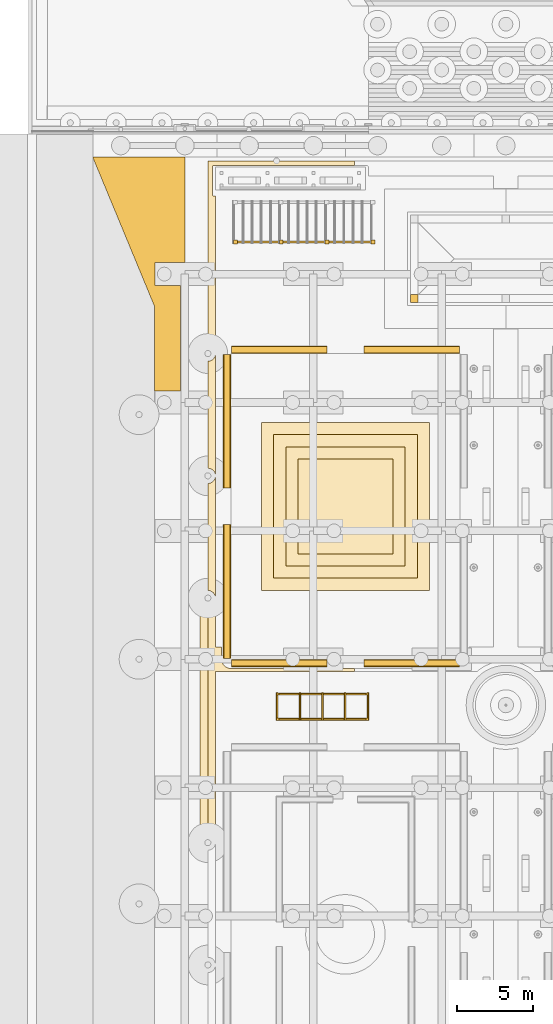
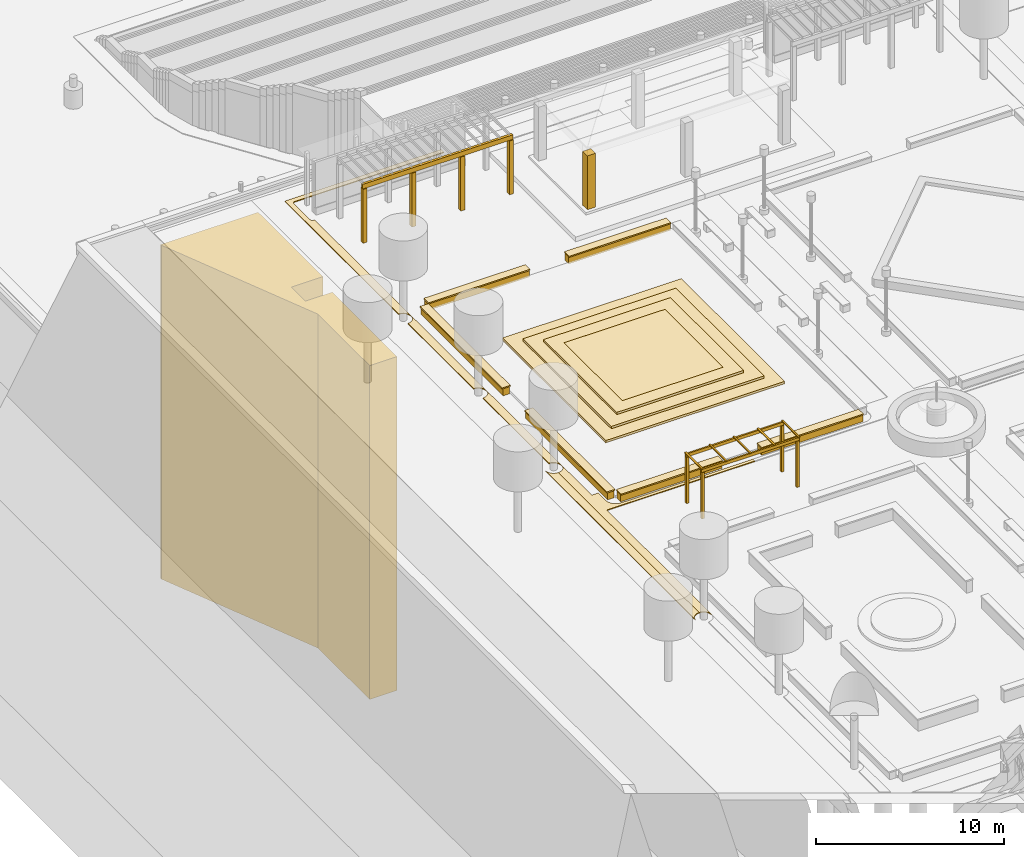
# One storey, part 140 of 222: 28 coverings, 11 shading devices.
"""IFC4 building model written with IfcOpenShell, lengths in metres."""

from ifc_helpers import new_model, si_unit, direction, frame, origin, origin_2d, place, context, subcontext, project, spatial, polyline, rectangle, outline, extrude, material, layer, layer_set, material_profile, profile_set, type_object, element, save


model = new_model("IFC4")

# Units and contexts
model_context = context("Model", 3, precision=1e-05, world=origin(), true_north=direction((0.0, 1.0)))
body_context = subcontext(model_context, "Body", "Model", "MODEL_VIEW")
ifc_project = project(units=[si_unit("LENGTHUNIT", "METRE"), si_unit("AREAUNIT", "SQUARE_METRE"), si_unit("VOLUMEUNIT", "CUBIC_METRE"), si_unit("PLANEANGLEUNIT", "RADIAN"), si_unit("MASSUNIT", "GRAM", prefix="KILO")], contexts=[model_context])

# Site, building, storey
site_placement = place(None, origin())
site = spatial("IfcSite", under=ifc_project, at=site_placement, CompositionType="ELEMENT")
building_placement = place(site_placement, origin())
building = spatial("IfcBuilding", under=site, at=building_placement, Name="Sava Quay Ferry Terminal", CompositionType="ELEMENT")
storey_placement = place(building_placement, origin())
storey = spatial("IfcBuildingStorey", under=building, at=storey_placement, Name="L00", CompositionType="ELEMENT", Elevation=0.0)

# Covering
ifc_material_1 = material(Name="Compacted gravel fill")
ifc_layer_1 = layer(ifc_material_1, 21.699951171875)
ifc_layer_set_1 = layer_set([ifc_layer_1], Name="Compacted gravel fill")
covering_type_1 = type_object("IfcCoveringType", Name="Made ground under the lawn corner", PredefinedType="CLADDING", material=ifc_layer_set_1)
covering_1_placement = place(storey_placement, frame((0.0, 0.0, -22.0)))
element("IfcCovering", 1, at=covering_1_placement, inside=storey, type_object=covering_type_1, Name="Made ground under the lawn corner", PredefinedType="CLADDING", context=body_context, shape_type="SweptSolid", body=[
    extrude(outline(polyline([(-1.97998046875, 101.550048828125), (-0.300048828125, 101.550048828125), (-0.300048828125, 108.449951171875), (-1.949951171875, 108.449951171875), (-1.949951171875, 109.949951171875), (0.0, 109.949951171875), (0.0, 116.85009765625), (-6.0, 116.85009765625), (-6.0, 116.77197265625), (-1.97998046875, 107.06591796875), (-1.97998046875, 101.550048828125)])), origin(), (0.0, 0.0, 1.0), 21.699951171875),
])

# Shading devices
ifc_material_2 = material(Name="Glulam GL28h", Category="wood")
ifc_material_profile_1 = material_profile(ifc_material_2, rectangle(XDim=0.10009765625, YDim=0.199951171875, at=origin_2d()), Name="Pergola 100 x 200")
ifc_profile_set_1 = profile_set([ifc_material_profile_1], Name="Glulam GL28h")
shading_device_type_1 = type_object("IfcShadingDeviceType", Name="Pergola beam 100x200", PredefinedType="USERDEFINED", material=ifc_profile_set_1)
for number, where, z_axis, x_axis, name in (
    (2, (6.0, 80.074951171875, 3.10009765625), (1.0, 0.0, 0.0), (0.0, 1.0, 0.0), "Pergola beam"),
    (3, (6.0, 81.72509765625, 3.10009765625), (1.0, 0.0, 0.0), (0.0, 1.0, 0.0), "Pergola beam"),
):
    element("IfcShadingDevice", number, at=place(storey_placement, frame(where, z_axis=z_axis, x_axis=x_axis)), inside=storey, type_object=shading_device_type_1, Name=name, ObjectType="PERGOLA BEAM", PredefinedType="USERDEFINED", context=body_context, shape_type="SweptSolid", body=[
        extrude(rectangle(XDim=0.10009765625, YDim=0.199951171875, at=origin_2d()), origin(), (0.0, 0.0, 1.0), 6.0),
    ])
ifc_material_3 = material(Name="Glulam GL28h", Category="wood")
ifc_material_profile_2 = material_profile(ifc_material_3, rectangle(XDim=0.14990234375, YDim=0.14990234375, at=origin_2d()), Name="Pergola 150 x 150")
ifc_profile_set_2 = profile_set([ifc_material_profile_2], Name="Glulam GL28h")
shading_device_type_2 = type_object("IfcShadingDeviceType", Name="Pergola post 150", PredefinedType="USERDEFINED", material=ifc_profile_set_2)
for number, where, z_axis, x_axis, name in (
    (4, (6.074951171875, 80.074951171875, 0.0), (0.0, 0.0, 1.0), (1.0, 0.0, 0.0), "Pergola post"),
    (5, (11.925048828125, 80.074951171875, 0.0), (0.0, 0.0, 1.0), (1.0, 0.0, 0.0), "Pergola post"),
    (6, (6.074951171875, 81.72509765625, 0.0), (0.0, 0.0, 1.0), (1.0, 0.0, 0.0), "Pergola post"),
    (7, (11.925048828125, 81.72509765625, 0.0), (0.0, 0.0, 1.0), (1.0, 0.0, 0.0), "Pergola post"),
):
    element("IfcShadingDevice", number, at=place(storey_placement, frame(where, z_axis=z_axis, x_axis=x_axis)), inside=storey, type_object=shading_device_type_2, Name=name, ObjectType="PERGOLA POST", PredefinedType="USERDEFINED", context=body_context, shape_type="SweptSolid", body=[
        extrude(rectangle(XDim=0.14990234375, YDim=0.14990234375, at=origin_2d()), origin(), (0.0, 0.0, 1.0), 3.0),
    ])
ifc_material_4 = material(Name="Glulam GL28h", Category="wood")
ifc_material_profile_3 = material_profile(ifc_material_4, rectangle(XDim=0.06005859375, YDim=0.10009765625, at=origin_2d()), Name="Pergola 60 x 100")
ifc_profile_set_3 = profile_set([ifc_material_profile_3], Name="Glulam GL28h")
shading_device_type_3 = type_object("IfcShadingDeviceType", Name="Pergola rafter 60x100", PredefinedType="USERDEFINED", material=ifc_profile_set_3)
for number, where, z_axis, x_axis, name in (
    (8, (6.030029296875, 80.0, 3.22998046875), (0.0, 1.0, 0.0), (0.0, 0.0, 1.0), "Pergola rafter"),
    (9, (7.514892578125, 80.0, 3.22998046875), (0.0, 1.0, 0.0), (0.0, 0.0, 1.0), "Pergola rafter"),
    (10, (9.0, 80.0, 3.22998046875), (0.0, 1.0, 0.0), (0.0, 0.0, 1.0), "Pergola rafter"),
    (11, (10.485107421875, 80.0, 3.22998046875), (0.0, 1.0, 0.0), (0.0, 0.0, 1.0), "Pergola rafter"),
    (12, (11.969970703125, 80.0, 3.22998046875), (0.0, 1.0, 0.0), (0.0, 0.0, 1.0), "Pergola rafter"),
):
    element("IfcShadingDevice", number, at=place(storey_placement, frame(where, z_axis=z_axis, x_axis=x_axis)), inside=storey, type_object=shading_device_type_3, Name=name, ObjectType="PERGOLA RAFTER", PredefinedType="USERDEFINED", context=body_context, shape_type="SweptSolid", body=[
        extrude(rectangle(XDim=0.06005859375, YDim=0.10009765625, at=origin_2d()), origin(), (0.0, 0.0, 1.0), 1.800048828125),
    ])

# Coverings
ifc_material_5 = material(Name="Steel S355", Category="steel")
ifc_layer_2 = layer(ifc_material_5, 0.14990234375)
ifc_layer_set_2 = layer_set([ifc_layer_2], Name="Steel S355")
covering_type_2 = type_object("IfcCoveringType", Name="Promenade pergola beam 150x300", PredefinedType="CLADDING", material=ifc_layer_set_2)
covering_2_placement = place(storey_placement, frame((0.0, 0.0, 3.5)))
element("IfcCovering", 13, at=covering_2_placement, inside=storey, type_object=covering_type_2, Name="Promenade pergola beam", PredefinedType="CLADDING", context=body_context, shape_type="SweptSolid", body=[
    extrude(outline(polyline([(12.425048828125, 111.22509765625), (12.425048828125, 111.375), (3.175048828125, 111.375), (3.175048828125, 111.22509765625), (12.425048828125, 111.22509765625)])), origin(), (0.0, 0.0, 1.0), 0.300048828125),
])
ifc_material_6 = material(Name="Steel S355", Category="steel")
ifc_layer_3 = layer(ifc_material_6, 0.25)
ifc_layer_set_3 = layer_set([ifc_layer_3], Name="Steel S355")
covering_type_3 = type_object("IfcCoveringType", Name="Promenade pergola post 250", PredefinedType="CLADDING", material=ifc_layer_set_3)
covering_3_placement = place(storey_placement, origin())
element("IfcCovering", 14, at=covering_3_placement, inside=storey, type_object=covering_type_3, Name="Promenade pergola post", PredefinedType="CLADDING", context=body_context, shape_type="SweptSolid", body=[
    extrude(outline(polyline([(3.425048828125, 111.175048828125), (3.425048828125, 111.425048828125), (3.175048828125, 111.425048828125), (3.175048828125, 111.175048828125), (3.425048828125, 111.175048828125)])), origin(), (0.0, 0.0, 1.0), 3.5),
])
covering_4_placement = place(storey_placement, origin())
element("IfcCovering", 15, at=covering_4_placement, inside=storey, type_object=covering_type_3, Name="Promenade pergola post", PredefinedType="CLADDING", context=body_context, shape_type="SweptSolid", body=[
    extrude(outline(polyline([(6.425048828125, 111.175048828125), (6.425048828125, 111.425048828125), (6.175048828125, 111.425048828125), (6.175048828125, 111.175048828125), (6.425048828125, 111.175048828125)])), origin(), (0.0, 0.0, 1.0), 3.5),
])
covering_5_placement = place(storey_placement, origin())
element("IfcCovering", 16, at=covering_5_placement, inside=storey, type_object=covering_type_3, Name="Promenade pergola post", PredefinedType="CLADDING", context=body_context, shape_type="SweptSolid", body=[
    extrude(outline(polyline([(9.425048828125, 111.175048828125), (9.425048828125, 111.425048828125), (9.175048828125, 111.425048828125), (9.175048828125, 111.175048828125), (9.425048828125, 111.175048828125)])), origin(), (0.0, 0.0, 1.0), 3.5),
])
covering_6_placement = place(storey_placement, origin())
element("IfcCovering", 17, at=covering_6_placement, inside=storey, type_object=covering_type_3, Name="Promenade pergola post", PredefinedType="CLADDING", context=body_context, shape_type="SweptSolid", body=[
    extrude(outline(polyline([(12.425048828125, 111.175048828125), (12.425048828125, 111.425048828125), (12.175048828125, 111.425048828125), (12.175048828125, 111.175048828125), (12.425048828125, 111.175048828125)])), origin(), (0.0, 0.0, 1.0), 3.5),
])
ifc_material_7 = material(Name="Limestone Mutalj", Category="masonry")
ifc_layer_4 = layer(ifc_material_7, 0.050048828125)
ifc_layer_set_4 = layer_set([ifc_layer_4], Name="Limestone Mutalj")
covering_type_4 = type_object("IfcCoveringType", Name="Stone paving band 50", PredefinedType="FLOORING", material=ifc_layer_set_4)
covering_7_placement = place(storey_placement, origin())
element("IfcCovering", 18, at=covering_7_placement, inside=storey, type_object=covering_type_4, Name="Stone paving band", PredefinedType="FLOORING", context=body_context, shape_type="SweptSolid", body=[
    extrude(outline(polyline([(1.0, 51.39990234375), (1.5, 51.39990234375), (1.5, 55.5), (1.43896484375, 55.50390625), (1.389892578125, 55.511962890625), (1.343017578125, 55.52490234375), (1.297119140625, 55.54296875), (1.25390625, 55.56494140625), (1.2119140625, 55.591064453125), (1.174072265625, 55.6220703125), (1.137939453125, 55.655029296875), (1.10595703125, 55.69189453125), (1.077880859375, 55.73291015625), (1.053955078125, 55.77490234375), (1.033935546875, 55.820068359375), (1.01806640625, 55.866943359375), (1.008056640625, 55.9150390625), (1.001953125, 55.962890625), (1.0, 56.011962890625), (1.00390625, 56.06103515625), (1.011962890625, 56.110107421875), (1.02490234375, 56.156982421875), (1.04296875, 56.202880859375), (1.06494140625, 56.24609375), (1.091064453125, 56.2880859375), (1.1220703125, 56.325927734375), (1.155029296875, 56.362060546875), (1.19189453125, 56.39404296875), (1.23291015625, 56.422119140625), (1.27490234375, 56.446044921875), (1.320068359375, 56.466064453125), (1.366943359375, 56.48193359375), (1.4150390625, 56.491943359375), (1.462890625, 56.498046875), (1.5, 56.5), (1.5, 63.5), (1.462890625, 63.501953125), (1.4150390625, 63.508056640625), (1.366943359375, 63.51806640625), (1.320068359375, 63.533935546875), (1.27490234375, 63.553955078125), (1.23291015625, 63.577880859375), (1.19189453125, 63.60595703125), (1.155029296875, 63.637939453125), (1.1220703125, 63.674072265625), (1.091064453125, 63.7119140625), (1.06494140625, 63.75390625), (1.04296875, 63.797119140625), (1.02490234375, 63.843017578125), (1.011962890625, 63.889892578125), (1.00390625, 63.93896484375), (1.0, 63.988037109375), (1.001953125, 64.037109375), (1.008056640625, 64.0849609375), (1.01806640625, 64.133056640625), (1.033935546875, 64.179931640625), (1.053955078125, 64.22509765625), (1.077880859375, 64.26708984375), (1.10595703125, 64.30810546875), (1.137939453125, 64.344970703125), (1.174072265625, 64.3779296875), (1.2119140625, 64.408935546875), (1.25390625, 64.43505859375), (1.297119140625, 64.45703125), (1.343017578125, 64.47509765625), (1.389892578125, 64.488037109375), (1.43896484375, 64.49609375), (1.5, 64.5), (1.5, 71.5), (1.43896484375, 71.50390625), (1.389892578125, 71.511962890625), (1.343017578125, 71.52490234375), (1.297119140625, 71.54296875), (1.25390625, 71.56494140625), (1.2119140625, 71.591064453125), (1.174072265625, 71.6220703125), (1.137939453125, 71.655029296875), (1.10595703125, 71.69189453125), (1.077880859375, 71.73291015625), (1.053955078125, 71.77490234375), (1.033935546875, 71.820068359375), (1.01806640625, 71.866943359375), (1.008056640625, 71.9150390625), (1.001953125, 71.962890625), (1.0, 72.011962890625), (1.00390625, 72.06103515625), (1.011962890625, 72.110107421875), (1.02490234375, 72.156982421875), (1.04296875, 72.202880859375), (1.06494140625, 72.24609375), (1.091064453125, 72.2880859375), (1.1220703125, 72.325927734375), (1.155029296875, 72.362060546875), (1.19189453125, 72.39404296875), (1.23291015625, 72.422119140625), (1.27490234375, 72.446044921875), (1.320068359375, 72.466064453125), (1.366943359375, 72.48193359375), (1.4150390625, 72.491943359375), (1.462890625, 72.498046875), (1.5, 72.5), (1.5, 87.5), (1.43896484375, 87.50390625), (1.389892578125, 87.511962890625), (1.343017578125, 87.52490234375), (1.297119140625, 87.54296875), (1.25390625, 87.56494140625), (1.2119140625, 87.591064453125), (1.174072265625, 87.6220703125), (1.137939453125, 87.655029296875), (1.10595703125, 87.69189453125), (1.077880859375, 87.73291015625), (1.053955078125, 87.77490234375), (1.033935546875, 87.820068359375), (1.01806640625, 87.866943359375), (1.008056640625, 87.9150390625), (1.001953125, 87.962890625), (1.0, 88.011962890625), (1.00390625, 88.06103515625), (1.011962890625, 88.110107421875), (1.02490234375, 88.156982421875), (1.04296875, 88.202880859375), (1.06494140625, 88.24609375), (1.091064453125, 88.2880859375), (1.1220703125, 88.325927734375), (1.155029296875, 88.362060546875), (1.19189453125, 88.39404296875), (1.23291015625, 88.422119140625), (1.27490234375, 88.446044921875), (1.320068359375, 88.466064453125), (1.366943359375, 88.48193359375), (1.4150390625, 88.491943359375), (1.462890625, 88.498046875), (1.5, 88.5), (1.5, 95.5), (1.43896484375, 95.50390625), (1.389892578125, 95.511962890625), (1.343017578125, 95.52490234375), (1.297119140625, 95.54296875), (1.25390625, 95.56494140625), (1.2119140625, 95.591064453125), (1.174072265625, 95.6220703125), (1.137939453125, 95.655029296875), (1.10595703125, 95.69189453125), (1.077880859375, 95.73291015625), (1.053955078125, 95.77490234375), (1.033935546875, 95.820068359375), (1.01806640625, 95.866943359375), (1.008056640625, 95.9150390625), (1.001953125, 95.962890625), (1.0, 96.011962890625), (1.00390625, 96.06103515625), (1.011962890625, 96.110107421875), (1.02490234375, 96.156982421875), (1.04296875, 96.202880859375), (1.06494140625, 96.24609375), (1.091064453125, 96.2880859375), (1.1220703125, 96.325927734375), (1.155029296875, 96.362060546875), (1.19189453125, 96.39404296875), (1.23291015625, 96.422119140625), (1.27490234375, 96.446044921875), (1.320068359375, 96.466064453125), (1.366943359375, 96.48193359375), (1.4150390625, 96.491943359375), (1.462890625, 96.498046875), (1.5, 96.5), (1.5, 103.5), (1.43896484375, 103.50390625), (1.389892578125, 103.511962890625), (1.343017578125, 103.52490234375), (1.297119140625, 103.54296875), (1.25390625, 103.56494140625), (1.2119140625, 103.591064453125), (1.174072265625, 103.6220703125), (1.137939453125, 103.655029296875), (1.10595703125, 103.69189453125), (1.077880859375, 103.73291015625), (1.053955078125, 103.77490234375), (1.033935546875, 103.820068359375), (1.01806640625, 103.866943359375), (1.008056640625, 103.9150390625), (1.001953125, 103.962890625), (1.0, 104.011962890625), (1.00390625, 104.06103515625), (1.011962890625, 104.110107421875), (1.02490234375, 104.156982421875), (1.04296875, 104.202880859375), (1.06494140625, 104.24609375), (1.091064453125, 104.2880859375), (1.1220703125, 104.325927734375), (1.155029296875, 104.362060546875), (1.19189453125, 104.39404296875), (1.23291015625, 104.422119140625), (1.27490234375, 104.446044921875), (1.320068359375, 104.466064453125), (1.366943359375, 104.48193359375), (1.4150390625, 104.491943359375), (1.462890625, 104.498046875), (1.5, 104.5), (1.5, 116.60009765625), (1.0, 116.60009765625), (1.0, 51.39990234375)])), origin(), (0.0, 0.0, 1.0), 0.050048828125),
])
covering_8_placement = place(storey_placement, origin())
element("IfcCovering", 19, at=covering_8_placement, inside=storey, type_object=covering_type_4, Name="Stone paving band", PredefinedType="FLOORING", context=body_context, shape_type="SweptSolid", body=[
    extrude(outline(polyline([(1.998046875, 72.037109375), (2.0, 71.988037109375), (2.0, 83.199951171875), (11.10009765625, 83.199951171875), (11.10009765625, 83.39990234375), (3.0, 83.39990234375), (2.94091796875, 83.403076171875), (2.883056640625, 83.412109375), (2.825927734375, 83.426025390625), (2.77001953125, 83.446044921875), (2.717041015625, 83.470947265625), (2.6669921875, 83.5009765625), (2.618896484375, 83.535888671875), (2.575927734375, 83.575927734375), (2.535888671875, 83.618896484375), (2.5009765625, 83.6669921875), (2.470947265625, 83.717041015625), (2.446044921875, 83.77001953125), (2.426025390625, 83.825927734375), (2.412109375, 83.883056640625), (2.403076171875, 83.94091796875), (2.39990234375, 84.0), (2.39990234375, 84.800048828125), (2.0, 84.800048828125), (2.0, 87.988037109375), (1.99609375, 87.93896484375), (1.988037109375, 87.889892578125), (1.97509765625, 87.843017578125), (1.95703125, 87.797119140625), (1.93505859375, 87.75390625), (1.908935546875, 87.7119140625), (1.8779296875, 87.674072265625), (1.844970703125, 87.637939453125), (1.80810546875, 87.60595703125), (1.76708984375, 87.577880859375), (1.72509765625, 87.553955078125), (1.679931640625, 87.533935546875), (1.633056640625, 87.51806640625), (1.5849609375, 87.508056640625), (1.537109375, 87.501953125), (1.5, 87.5), (1.5, 72.5), (1.56103515625, 72.49609375), (1.610107421875, 72.488037109375), (1.656982421875, 72.47509765625), (1.702880859375, 72.45703125), (1.74609375, 72.43505859375), (1.7880859375, 72.408935546875), (1.825927734375, 72.3779296875), (1.862060546875, 72.344970703125), (1.89404296875, 72.30810546875), (1.922119140625, 72.26708984375), (1.946044921875, 72.22509765625), (1.966064453125, 72.179931640625), (1.98193359375, 72.133056640625), (1.991943359375, 72.0849609375), (1.998046875, 72.037109375)])), origin(), (0.0, 0.0, 1.0), 0.050048828125),
])
covering_9_placement = place(storey_placement, origin())
element("IfcCovering", 20, at=covering_9_placement, inside=storey, type_object=covering_type_4, Name="Stone paving band", PredefinedType="FLOORING", context=body_context, shape_type="SweptSolid", body=[
    extrude(outline(polyline([(1.998046875, 88.037109375), (2.0, 87.988037109375), (2.0, 95.988037109375), (1.99609375, 95.93896484375), (1.988037109375, 95.889892578125), (1.97509765625, 95.843017578125), (1.95703125, 95.797119140625), (1.93505859375, 95.75390625), (1.908935546875, 95.7119140625), (1.8779296875, 95.674072265625), (1.844970703125, 95.637939453125), (1.80810546875, 95.60595703125), (1.76708984375, 95.577880859375), (1.72509765625, 95.553955078125), (1.679931640625, 95.533935546875), (1.633056640625, 95.51806640625), (1.5849609375, 95.508056640625), (1.537109375, 95.501953125), (1.5, 95.5), (1.5, 88.5), (1.56103515625, 88.49609375), (1.610107421875, 88.488037109375), (1.656982421875, 88.47509765625), (1.702880859375, 88.45703125), (1.74609375, 88.43505859375), (1.7880859375, 88.408935546875), (1.825927734375, 88.3779296875), (1.862060546875, 88.344970703125), (1.89404296875, 88.30810546875), (1.922119140625, 88.26708984375), (1.946044921875, 88.22509765625), (1.966064453125, 88.179931640625), (1.98193359375, 88.133056640625), (1.991943359375, 88.0849609375), (1.998046875, 88.037109375)])), origin(), (0.0, 0.0, 1.0), 0.050048828125),
])
covering_10_placement = place(storey_placement, origin())
element("IfcCovering", 21, at=covering_10_placement, inside=storey, type_object=covering_type_4, Name="Stone paving band", PredefinedType="FLOORING", context=body_context, shape_type="SweptSolid", body=[
    extrude(outline(polyline([(1.998046875, 96.037109375), (2.0, 95.988037109375), (2.0, 103.988037109375), (1.99609375, 103.93896484375), (1.988037109375, 103.889892578125), (1.97509765625, 103.843017578125), (1.95703125, 103.797119140625), (1.93505859375, 103.75390625), (1.908935546875, 103.7119140625), (1.8779296875, 103.674072265625), (1.844970703125, 103.637939453125), (1.80810546875, 103.60595703125), (1.76708984375, 103.577880859375), (1.72509765625, 103.553955078125), (1.679931640625, 103.533935546875), (1.633056640625, 103.51806640625), (1.5849609375, 103.508056640625), (1.537109375, 103.501953125), (1.5, 103.5), (1.5, 96.5), (1.56103515625, 96.49609375), (1.610107421875, 96.488037109375), (1.656982421875, 96.47509765625), (1.702880859375, 96.45703125), (1.74609375, 96.43505859375), (1.7880859375, 96.408935546875), (1.825927734375, 96.3779296875), (1.862060546875, 96.344970703125), (1.89404296875, 96.30810546875), (1.922119140625, 96.26708984375), (1.946044921875, 96.22509765625), (1.966064453125, 96.179931640625), (1.98193359375, 96.133056640625), (1.991943359375, 96.0849609375), (1.998046875, 96.037109375)])), origin(), (0.0, 0.0, 1.0), 0.050048828125),
])
covering_11_placement = place(storey_placement, origin())
element("IfcCovering", 22, at=covering_11_placement, inside=storey, type_object=covering_type_4, Name="Stone paving band", PredefinedType="FLOORING", context=body_context, shape_type="SweptSolid", body=[
    extrude(outline(polyline([(1.991943359375, 104.0849609375), (1.998046875, 104.037109375), (2.0, 103.988037109375), (2.0, 114.300048828125), (1.889892578125, 114.300048828125), (1.862060546875, 114.30810546875), (1.843994140625, 114.31689453125), (1.822998046875, 114.3369140625), (1.80810546875, 114.362060546875), (1.800048828125, 114.389892578125), (1.800048828125, 116.199951171875), (1.803955078125, 116.22900390625), (1.81689453125, 116.256103515625), (1.8291015625, 116.27099609375), (1.85302734375, 116.2880859375), (1.87109375, 116.2958984375), (1.89990234375, 116.300048828125), (11.10009765625, 116.300048828125), (11.10009765625, 116.60009765625), (1.5, 116.60009765625), (1.5, 104.5), (1.56103515625, 104.49609375), (1.610107421875, 104.488037109375), (1.656982421875, 104.47509765625), (1.702880859375, 104.45703125), (1.74609375, 104.43505859375), (1.7880859375, 104.408935546875), (1.825927734375, 104.3779296875), (1.862060546875, 104.344970703125), (1.89404296875, 104.30810546875), (1.922119140625, 104.26708984375), (1.946044921875, 104.22509765625), (1.966064453125, 104.179931640625), (1.98193359375, 104.133056640625), (1.991943359375, 104.0849609375)])), origin(), (0.0, 0.0, 1.0), 0.050048828125),
])
ifc_material_8 = material(Name="Limestone Mutalj", Category="masonry")
ifc_layer_5 = layer(ifc_material_8, 0.449951171875)
ifc_layer_set_5 = layer_set([ifc_layer_5], Name="Limestone Mutalj")
covering_type_5 = type_object("IfcCoveringType", Name="Stone platform 450", PredefinedType="FLOORING", material=ifc_layer_set_5)
covering_12_placement = place(storey_placement, frame((0.0, 0.0, 0.14990234375)))
element("IfcCovering", 23, at=covering_12_placement, inside=storey, type_object=covering_type_5, Name="Stone platform 450", PredefinedType="FLOORING", context=body_context, shape_type="SweptSolid", body=[
    extrude(outline(polyline([(7.39990234375, 97.10009765625), (7.39990234375, 90.89990234375), (13.60009765625, 90.89990234375), (13.60009765625, 97.10009765625), (7.39990234375, 97.10009765625)])), origin(), (0.0, 0.0, 1.0), 0.4501953125),
])
ifc_material_9 = material(Name="Limestone Mutalj", Category="masonry")
ifc_layer_6 = layer(ifc_material_9, 0.14990234375)
ifc_layer_set_6 = layer_set([ifc_layer_6], Name="Limestone Mutalj")
covering_type_6 = type_object("IfcCoveringType", Name="Stone step 150", PredefinedType="MOLDING", material=ifc_layer_set_6)
covering_13_placement = place(storey_placement, frame((0.0, 0.0, 0.14990234375)))
element("IfcCovering", 24, at=covering_13_placement, inside=storey, type_object=covering_type_6, Name="Stone step 150", PredefinedType="MOLDING", context=body_context, shape_type="SweptSolid", body=[
    extrude(outline(polyline([(16.0, 99.5), (5.0, 99.5), (5.0, 88.5), (16.0, 88.5), (16.0, 99.5)]), holes=[polyline([(5.800048828125, 89.300048828125), (5.800048828125, 98.699951171875), (15.199951171875, 98.699951171875), (15.199951171875, 89.300048828125), (5.800048828125, 89.300048828125)])]), origin(), (0.0, 0.0, 1.0), 0.150146484375),
])
ifc_material_10 = material(Name="Limestone Mutalj", Category="masonry")
ifc_layer_7 = layer(ifc_material_10, 0.14990234375)
ifc_layer_set_7 = layer_set([ifc_layer_7], Name="Limestone Mutalj")
covering_type_7 = type_object("IfcCoveringType", Name="Stone step 300", PredefinedType="MOLDING", material=ifc_layer_set_7)
covering_14_placement = place(storey_placement, frame((0.0, 0.0, 0.14990234375)))
element("IfcCovering", 25, at=covering_14_placement, inside=storey, type_object=covering_type_7, Name="Stone step 300", PredefinedType="MOLDING", context=body_context, shape_type="SweptSolid", body=[
    extrude(outline(polyline([(15.199951171875, 98.699951171875), (5.800048828125, 98.699951171875), (5.800048828125, 89.300048828125), (15.199951171875, 89.300048828125), (15.199951171875, 98.699951171875)]), holes=[polyline([(6.60009765625, 90.10009765625), (6.60009765625, 97.89990234375), (14.39990234375, 97.89990234375), (14.39990234375, 90.10009765625), (6.60009765625, 90.10009765625)])]), origin(), (0.0, 0.0, 1.0), 0.300048828125),
])
ifc_material_11 = material(Name="Limestone Mutalj", Category="masonry")
ifc_layer_8 = layer(ifc_material_11, 0.14990234375)
ifc_layer_set_8 = layer_set([ifc_layer_8], Name="Limestone Mutalj")
covering_type_8 = type_object("IfcCoveringType", Name="Stone step 450", PredefinedType="MOLDING", material=ifc_layer_set_8)
covering_15_placement = place(storey_placement, frame((0.0, 0.0, 0.14990234375)))
element("IfcCovering", 26, at=covering_15_placement, inside=storey, type_object=covering_type_8, Name="Stone step 450", PredefinedType="MOLDING", context=body_context, shape_type="SweptSolid", body=[
    extrude(outline(polyline([(14.39990234375, 97.89990234375), (6.60009765625, 97.89990234375), (6.60009765625, 90.10009765625), (14.39990234375, 90.10009765625), (14.39990234375, 97.89990234375)]), holes=[polyline([(7.39990234375, 90.89990234375), (7.39990234375, 97.10009765625), (13.60009765625, 97.10009765625), (13.60009765625, 90.89990234375), (7.39990234375, 90.89990234375)])]), origin(), (0.0, 0.0, 1.0), 0.4501953125),
])
ifc_material_12 = material(Name="Limestone Mutalj", Category="masonry")
ifc_layer_9 = layer(ifc_material_12, 0.080078125)
ifc_layer_set_9 = layer_set([ifc_layer_9], Name="Limestone Mutalj")
covering_type_9 = type_object("IfcCoveringType", Name="Terrace parterre coping 500", PredefinedType="MOLDING", material=ifc_layer_set_9)
covering_16_placement = place(storey_placement, frame((0.0, 0.0, 0.449951171875)))
element("IfcCovering", 27, at=covering_16_placement, inside=storey, type_object=covering_type_9, Name="Parterre wall coping", PredefinedType="MOLDING", context=body_context, shape_type="SweptSolid", body=[
    extrude(outline(polyline([(3.0, 84.050048828125), (3.0, 92.800048828125), (2.5, 92.800048828125), (2.5, 84.050048828125), (3.0, 84.050048828125)])), origin(), (0.0, 0.0, 1.0), 0.080078125),
])
covering_17_placement = place(storey_placement, frame((0.0, 0.0, 0.449951171875)))
element("IfcCovering", 28, at=covering_17_placement, inside=storey, type_object=covering_type_9, Name="Parterre wall coping", PredefinedType="MOLDING", context=body_context, shape_type="SweptSolid", body=[
    extrude(outline(polyline([(9.300048828125, 83.5), (9.300048828125, 84.0), (3.050048828125, 84.0), (3.050048828125, 83.5), (9.300048828125, 83.5)])), origin(), (0.0, 0.0, 1.0), 0.080078125),
])
covering_18_placement = place(storey_placement, frame((0.0, 0.0, 0.449951171875)))
element("IfcCovering", 29, at=covering_18_placement, inside=storey, type_object=covering_type_9, Name="Parterre wall coping", PredefinedType="MOLDING", context=body_context, shape_type="SweptSolid", body=[
    extrude(outline(polyline([(9.300048828125, 104.0), (9.300048828125, 104.5), (3.050048828125, 104.5), (3.050048828125, 104.0), (9.300048828125, 104.0)])), origin(), (0.0, 0.0, 1.0), 0.080078125),
])
covering_19_placement = place(storey_placement, frame((0.0, 0.0, 0.449951171875)))
element("IfcCovering", 30, at=covering_19_placement, inside=storey, type_object=covering_type_9, Name="Parterre wall coping", PredefinedType="MOLDING", context=body_context, shape_type="SweptSolid", body=[
    extrude(outline(polyline([(2.5, 95.199951171875), (3.0, 95.199951171875), (3.0, 103.949951171875), (2.5, 103.949951171875), (2.5, 95.199951171875)])), origin(), (0.0, 0.0, 1.0), 0.080078125),
])
covering_20_placement = place(storey_placement, frame((0.0, 0.0, 0.449951171875)))
element("IfcCovering", 31, at=covering_20_placement, inside=storey, type_object=covering_type_9, Name="Parterre wall coping", PredefinedType="MOLDING", context=body_context, shape_type="SweptSolid", body=[
    extrude(outline(polyline([(11.699951171875, 104.5), (11.699951171875, 104.0), (17.949951171875, 104.0), (17.949951171875, 104.5), (11.699951171875, 104.5)])), origin(), (0.0, 0.0, 1.0), 0.080078125),
])
covering_21_placement = place(storey_placement, frame((0.0, 0.0, 0.449951171875)))
element("IfcCovering", 32, at=covering_21_placement, inside=storey, type_object=covering_type_9, Name="Parterre wall coping", PredefinedType="MOLDING", context=body_context, shape_type="SweptSolid", body=[
    extrude(outline(polyline([(11.699951171875, 84.0), (11.699951171875, 83.5), (17.949951171875, 83.5), (17.949951171875, 84.0), (11.699951171875, 84.0)])), origin(), (0.0, 0.0, 1.0), 0.080078125),
])
ifc_material_13 = material(Name="Limestone Mutalj", Category="masonry")
ifc_layer_10 = layer(ifc_material_13, 0.39990234375)
ifc_layer_set_10 = layer_set([ifc_layer_10], Name="Limestone Mutalj")
covering_type_10 = type_object("IfcCoveringType", Name="Terrace parterre wall 400", PredefinedType="CLADDING", material=ifc_layer_set_10)
covering_22_placement = place(storey_placement, origin())
element("IfcCovering", 33, at=covering_22_placement, inside=storey, type_object=covering_type_10, Name="Parterre wall", PredefinedType="CLADDING", context=body_context, shape_type="SweptSolid", body=[
    extrude(outline(polyline([(2.949951171875, 84.050048828125), (2.949951171875, 92.800048828125), (2.550048828125, 92.800048828125), (2.550048828125, 84.050048828125), (2.949951171875, 84.050048828125)])), origin(), (0.0, 0.0, 1.0), 0.449951171875),
])
covering_23_placement = place(storey_placement, origin())
element("IfcCovering", 34, at=covering_23_placement, inside=storey, type_object=covering_type_10, Name="Parterre wall", PredefinedType="CLADDING", context=body_context, shape_type="SweptSolid", body=[
    extrude(outline(polyline([(9.300048828125, 83.550048828125), (9.300048828125, 83.949951171875), (3.050048828125, 83.949951171875), (3.050048828125, 83.550048828125), (9.300048828125, 83.550048828125)])), origin(), (0.0, 0.0, 1.0), 0.449951171875),
])
covering_24_placement = place(storey_placement, origin())
element("IfcCovering", 35, at=covering_24_placement, inside=storey, type_object=covering_type_10, Name="Parterre wall", PredefinedType="CLADDING", context=body_context, shape_type="SweptSolid", body=[
    extrude(outline(polyline([(9.300048828125, 104.050048828125), (9.300048828125, 104.449951171875), (3.050048828125, 104.449951171875), (3.050048828125, 104.050048828125), (9.300048828125, 104.050048828125)])), origin(), (0.0, 0.0, 1.0), 0.449951171875),
])
covering_25_placement = place(storey_placement, origin())
element("IfcCovering", 36, at=covering_25_placement, inside=storey, type_object=covering_type_10, Name="Parterre wall", PredefinedType="CLADDING", context=body_context, shape_type="SweptSolid", body=[
    extrude(outline(polyline([(2.550048828125, 95.199951171875), (2.949951171875, 95.199951171875), (2.949951171875, 103.949951171875), (2.550048828125, 103.949951171875), (2.550048828125, 95.199951171875)])), origin(), (0.0, 0.0, 1.0), 0.449951171875),
])
covering_26_placement = place(storey_placement, origin())
element("IfcCovering", 37, at=covering_26_placement, inside=storey, type_object=covering_type_10, Name="Parterre wall", PredefinedType="CLADDING", context=body_context, shape_type="SweptSolid", body=[
    extrude(outline(polyline([(11.699951171875, 104.449951171875), (11.699951171875, 104.050048828125), (17.949951171875, 104.050048828125), (17.949951171875, 104.449951171875), (11.699951171875, 104.449951171875)])), origin(), (0.0, 0.0, 1.0), 0.449951171875),
])
covering_27_placement = place(storey_placement, origin())
element("IfcCovering", 38, at=covering_27_placement, inside=storey, type_object=covering_type_10, Name="Parterre wall", PredefinedType="CLADDING", context=body_context, shape_type="SweptSolid", body=[
    extrude(outline(polyline([(11.699951171875, 83.949951171875), (11.699951171875, 83.550048828125), (17.949951171875, 83.550048828125), (17.949951171875, 83.949951171875), (11.699951171875, 83.949951171875)])), origin(), (0.0, 0.0, 1.0), 0.449951171875),
])
ifc_material_14 = material(Name="Limestone Mutalj", Category="masonry")
ifc_layer_11 = layer(ifc_material_14, 0.5)
ifc_layer_set_11 = layer_set([ifc_layer_11], Name="Limestone Mutalj")
covering_type_11 = type_object("IfcCoveringType", Name="Terrace pavilion pier 500", PredefinedType="CLADDING", material=ifc_layer_set_11)
covering_28_placement = place(storey_placement, frame((0.0, 0.0, 0.449951171875)))
element("IfcCovering", 39, at=covering_28_placement, inside=storey, type_object=covering_type_11, Name="Pavilion pier", PredefinedType="CLADDING", context=body_context, shape_type="SweptSolid", body=[
    extrude(outline(polyline([(15.25, 107.35009765625), (15.25, 107.85009765625), (14.75, 107.85009765625), (14.75, 107.35009765625), (15.25, 107.35009765625)])), origin(), (0.0, 0.0, 1.0), 3.5),
])

save(model, "model.ifc")
